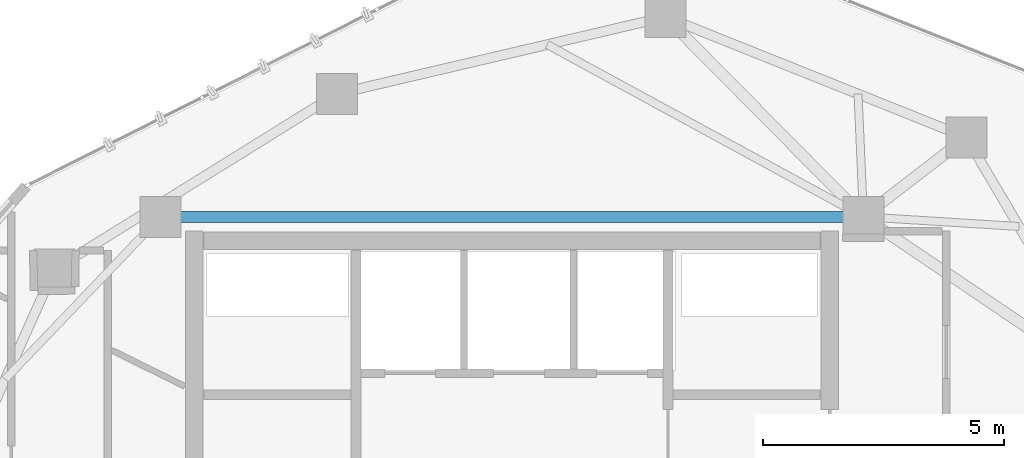
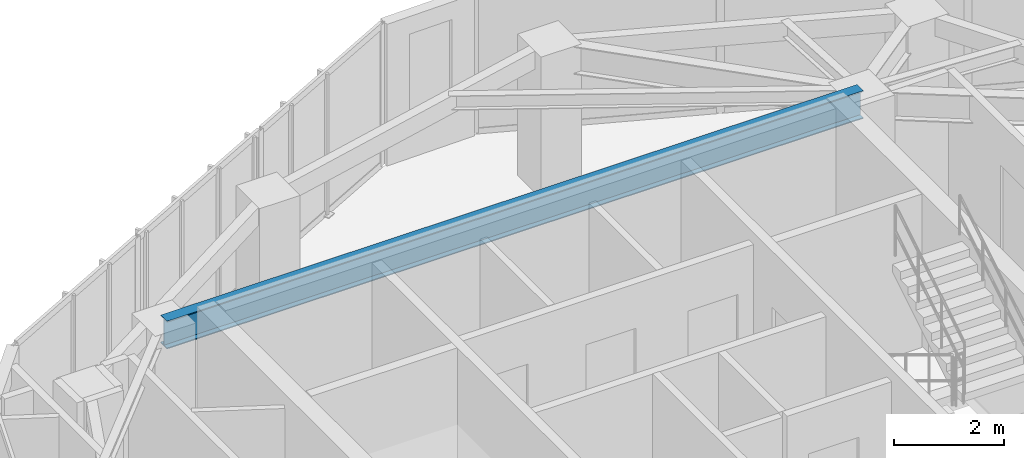
# One storey, part 10 of 21: 1 beam.
"""IFC4 building model written with IfcOpenShell, lengths in metres."""

from ifc_helpers import new_model, si_unit, direction, frame, origin, origin_2d, place, context, subcontext, project, spatial, i_section, extrude, material, material_profile, profile_set, type_object, element, save


model = new_model("IFC4")

# Units and contexts
model_context = context("Model", 3, precision=1e-05, world=origin(), true_north=direction((0.0, 1.0)))
body_context = subcontext(model_context, "Body", "Model", "MODEL_VIEW")
ifc_project = project(units=[si_unit("LENGTHUNIT", "METRE"), si_unit("AREAUNIT", "SQUARE_METRE"), si_unit("VOLUMEUNIT", "CUBIC_METRE"), si_unit("PLANEANGLEUNIT", "RADIAN"), si_unit("MASSUNIT", "GRAM", prefix="KILO")], contexts=[model_context])

# Site, building, storey
site_placement = place(None, origin())
site = spatial("IfcSite", under=ifc_project, at=site_placement, CompositionType="ELEMENT")
building_placement = place(site_placement, origin())
building = spatial("IfcBuilding", under=site, at=building_placement, Name="Talar Marvaseh", CompositionType="ELEMENT")
storey_placement = place(building_placement, frame((0.0, 0.0, 264.60009765625)))
storey = spatial("IfcBuildingStorey", under=building, at=storey_placement, Name="L70", CompositionType="ELEMENT", Elevation=264.60009765625)

# Beam
ifc_material = material(Name="Steel S355", Category="steel")
ifc_material_profile = material_profile(ifc_material, i_section(OverallWidth=0.22998046875, OverallDepth=0.616943359375, WebThickness=0.01318359375, FlangeThickness=0.022216796875, at=origin_2d()), Name="W610x140")
ifc_profile_set = profile_set([ifc_material_profile], Name="Steel S355")
beam_type = type_object("IfcBeamType", Name="Zone 4 Radial Floor Girder W610x140", PredefinedType="BEAM", material=ifc_profile_set)
beam_placement = place(storey_placement, frame((18.699951171875, 36.89990234375, 2.831298828125), z_axis=(1.0, 0.0, 0.0), x_axis=(0.0, 1.0, 0.0)))
element("IfcBeam", 1, at=beam_placement, inside=storey, type_object=beam_type, Name="L70 Zone 4 Radial Floor Girder W610x140", PredefinedType="BEAM", context=body_context, shape_type="SweptSolid", body=[
    extrude(i_section(OverallWidth=0.22998046875, OverallDepth=0.616943359375, WebThickness=0.01318359375, FlangeThickness=0.022216796875, at=origin_2d()), origin(), (0.0, 0.0, 1.0), 14.60009765625),
])

save(model, "model.ifc")
